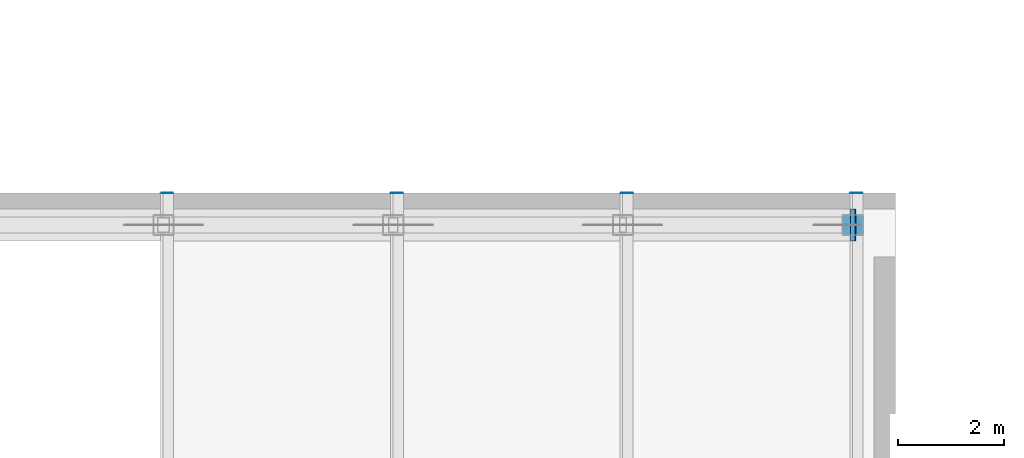
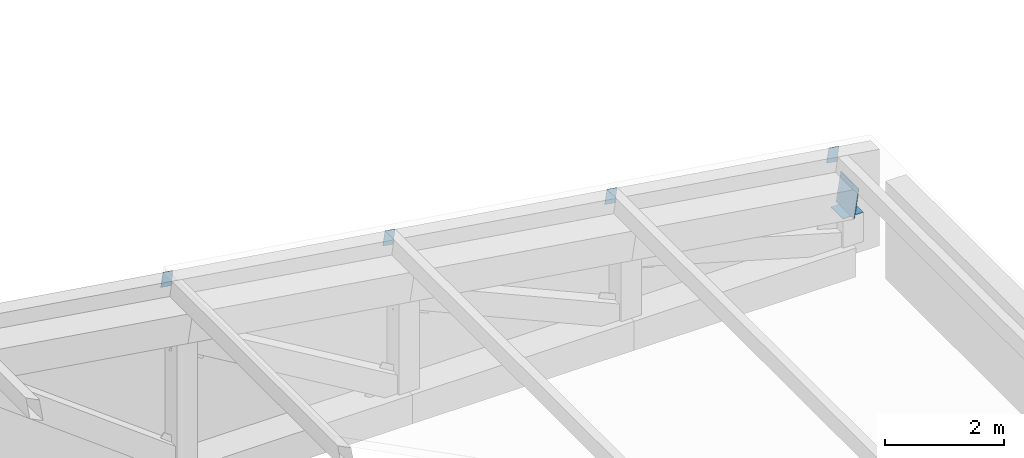
# One storey, part 30 of 32: 6 discrete accessories.
"""IFC4 building model written with IfcOpenShell, lengths in metres."""

import ifcopenshell
import ifcopenshell.guid

model = None  # the IFC model being written
_history = None  # IfcOwnerHistory: only IFC2X3 demands one
_inside = {}  # id of a spatial element -> (the spatial element, [elements in it])
_under = {}  # id of a project, library or spatial element -> (it, [spatial elements below it])
_declared = {}  # id of a project -> (the project, [libraries it declares])
_typed = {}  # id of a type object -> (the type object, [elements of that type])
_made_of = {}  # id of a material, layer set ... -> (it, [elements and type objects made of it])


def new_model(schema):
    """Start an empty IFC model of exactly this schema.

    Asked for "IFC4X3", IfcOpenShell would pick the latest addendum, in which some entities
    have other attributes; the version numbers below select the first issue.
    IFC2X3 requires an IfcOwnerHistory on every rooted entity: one is made here for all.
    """
    global model, _history
    if schema == "IFC4X3":
        model = ifcopenshell.file(schema_version=(4, 3, 0, 0))
    else:
        model = ifcopenshell.file(schema=schema)
    _inside.clear()
    _under.clear()
    _declared.clear()
    _typed.clear()
    _made_of.clear()
    _history = None
    if model.schema == "IFC2X3":
        org = make("IfcOrganization", Name="unknown")
        user = make(
            "IfcPersonAndOrganization",
            ThePerson=make("IfcPerson", FamilyName="unknown"),
            TheOrganization=org,
        )
        app = make(
            "IfcApplication",
            ApplicationDeveloper=org,
            Version="unknown",
            ApplicationFullName="unknown",
            ApplicationIdentifier="unknown",
        )
        _history = make(
            "IfcOwnerHistory",
            OwningUser=user,
            OwningApplication=app,
            ChangeAction="ADDED",
            CreationDate=0,
        )
    return model


def make(cls, **values):
    """One entity of the class cls with the attributes given. An attribute that is None is left unset."""
    return model.create_entity(
        cls, **{name: value for name, value in values.items() if value is not None}
    )


def rooted(cls, **values):
    """An entity with a GlobalId (a new one), such as an element, a storey or a relation."""
    return make(cls, GlobalId=ifcopenshell.guid.new(), OwnerHistory=_history, **values)


def si_unit(unit_type, name, prefix=None):
    """IfcSIUnit, for example si_unit("LENGTHUNIT", "METRE", prefix="MILLI")."""
    return make("IfcSIUnit", UnitType=unit_type, Prefix=prefix, Name=name)


def assignment(units):
    """IfcUnitAssignment: the units of a project."""
    return None if units is None else make("IfcUnitAssignment", Units=units)


def point(xyz):
    """IfcCartesianPoint."""
    return None if xyz is None else make("IfcCartesianPoint", Coordinates=xyz)


def direction(xyz):
    """IfcDirection."""
    return None if xyz is None else make("IfcDirection", DirectionRatios=xyz)


def frame(location, z_axis=None, x_axis=None):
    """IfcAxis2Placement3D, a coordinate frame: its origin and axes. An axis left out is left unset."""
    return make(
        "IfcAxis2Placement3D",
        Location=point(location),
        Axis=direction(z_axis),
        RefDirection=direction(x_axis),
    )


def origin():
    """The frame at (0, 0, 0) with its axes left unset."""
    return frame((0.0, 0.0, 0.0))


def place(relative_to, where):
    """IfcLocalPlacement: puts the frame where relative to a parent placement (None: the world)."""
    return make(
        "IfcLocalPlacement", PlacementRelTo=relative_to, RelativePlacement=where
    )


def context(
    kind, dimensions, precision=None, world=None, true_north=None, identifier=None
):
    """IfcGeometricRepresentationContext, for example the 3D "Model" context."""
    return make(
        "IfcGeometricRepresentationContext",
        ContextIdentifier=identifier,
        ContextType=kind,
        CoordinateSpaceDimension=dimensions,
        Precision=precision,
        WorldCoordinateSystem=world,
        TrueNorth=true_north,
    )


def subcontext(parent, identifier, kind, view, scale=None):
    """IfcGeometricRepresentationSubContext, for example "Body" below "Model"."""
    return make(
        "IfcGeometricRepresentationSubContext",
        ContextIdentifier=identifier,
        ContextType=kind,
        ParentContext=parent,
        TargetScale=scale,
        TargetView=view,
    )


def project(units=None, contexts=None):
    """IfcProject with its units and contexts."""
    return rooted(
        "IfcProject",
        Name="project",
        RepresentationContexts=contexts,
        UnitsInContext=assignment(units),
    )


def spatial(cls, under=None, at=None, **own):
    """A site, building, storey or space (cls), placed at a placement, below another one or the project."""
    s = rooted(cls, ObjectPlacement=at, **own)
    if under is not None:
        _under.setdefault(under.id(), (under, []))[1].append(s)
    return s


def polyline(points):
    """IfcPolyline through the points."""
    return make("IfcPolyline", Points=[point(p) for p in points])


def outline(outer, holes=None, kind="AREA"):
    """IfcArbitraryClosedProfileDef: a profile drawn as a closed curve; with holes, ...WithVoids."""
    if holes is None:
        return make("IfcArbitraryClosedProfileDef", ProfileType=kind, OuterCurve=outer)
    return make(
        "IfcArbitraryProfileDefWithVoids",
        ProfileType=kind,
        OuterCurve=outer,
        InnerCurves=holes,
    )


def extrude(swept, where, along, depth):
    """IfcExtrudedAreaSolid: the profile swept, set in the frame where, extruded along a direction by depth."""
    return make(
        "IfcExtrudedAreaSolid",
        SweptArea=swept,
        Position=where,
        ExtrudedDirection=direction(along),
        Depth=depth,
    )


def shape(context_of_items, identifier, shape_type, items):
    """IfcShapeRepresentation: the items that make up one representation, for example the "Body"."""
    return make(
        "IfcShapeRepresentation",
        ContextOfItems=context_of_items,
        RepresentationIdentifier=identifier,
        RepresentationType=shape_type,
        Items=items,
    )


def material(Name=None, Category=None):
    """IfcMaterial."""
    return make("IfcMaterial", Name=Name, Category=Category)


def layer(
    of_material, thickness, ventilated=None, Name=None, Category=None, Priority=None
):
    """IfcMaterialLayer: one layer of a wall or slab, of a material (None: an air gap)."""
    return make(
        "IfcMaterialLayer",
        Material=of_material,
        LayerThickness=thickness,
        IsVentilated=ventilated,
        Name=Name,
        Category=Category,
        Priority=Priority,
    )


def layer_set(layers, Name=None):
    """IfcMaterialLayerSet."""
    return make("IfcMaterialLayerSet", MaterialLayers=layers, LayerSetName=Name)


def made_of(thing, what):
    """Note that an element or type object is made of a material, layer set ...; save() writes the relation."""
    if what is not None:
        _made_of.setdefault(what.id(), (what, []))[1].append(thing)
    return thing


def type_object(cls, material=None, **own):
    """A type object (cls), such as IfcWallType, which elements share."""
    return made_of(rooted(cls, **own), material)


def element(
    cls,
    number,
    at=None,
    inside=None,
    cuts=None,
    type_object=None,
    material=None,
    context=None,
    identifier="Body",
    shape_type=None,
    held_by="IfcProductDefinitionShape",
    body=None,
    shapes=None,
    **own,
):
    """One element of the class cls, such as IfcWall. Its Tag is "e" and its number.

    at: its placement. inside: the storey or other place that contains it. cuts: it is an
    opening in that element (IfcRelVoidsElement). A single representation is given by context,
    identifier, shape_type and body (its items); several are given by shapes. held_by: the class
    of the entity that holds the representations. save() writes the other relations.
    """
    e = rooted(cls, Tag="e%d" % number, ObjectPlacement=at, **own)
    if body is not None:
        shapes = [shape(context, identifier, shape_type, body)]
    if shapes is not None:
        e.Representation = make(held_by, Representations=shapes)
    if inside is not None:
        _inside.setdefault(inside.id(), (inside, []))[1].append(e)
    if cuts is not None:
        rooted(
            "IfcRelVoidsElement", RelatingBuildingElement=cuts, RelatedOpeningElement=e
        )
    if type_object is not None:
        _typed.setdefault(type_object.id(), (type_object, []))[1].append(e)
    return made_of(e, material)


def aggregate(whole, parts):
    """IfcRelAggregates: a whole, such as a stair, and the parts it consists of."""
    return rooted("IfcRelAggregates", RelatingObject=whole, RelatedObjects=parts)


def save(model, path):
    """Write the relations noted so far, then the file.

    IfcRelAggregates (storeys below a building ...), IfcRelContainedInSpatialStructure (elements
    in a storey), IfcRelDefinesByType, IfcRelAssociatesMaterial and IfcRelDeclares: one each for
    every whole, place, type object, material and project.
    """
    for whole, parts in _under.values():
        aggregate(whole, parts)
    for where, things in _inside.values():
        rooted(
            "IfcRelContainedInSpatialStructure",
            RelatedElements=things,
            RelatingStructure=where,
        )
    for kind, things in _typed.values():
        rooted("IfcRelDefinesByType", RelatedObjects=things, RelatingType=kind)
    for what, things in _made_of.values():
        rooted("IfcRelAssociatesMaterial", RelatedObjects=things, RelatingMaterial=what)
    for by, libraries in _declared.values():
        rooted("IfcRelDeclares", RelatingContext=by, RelatedDefinitions=libraries)
    model.write(path)


model = new_model("IFC4")

# Units and contexts
model_context = context("Model", 3, precision=1e-05, world=origin(), true_north=direction((0.0, 1.0)))
body_context = subcontext(model_context, "Body", "Model", "MODEL_VIEW")
ifc_project = project(units=[si_unit("LENGTHUNIT", "METRE"), si_unit("AREAUNIT", "SQUARE_METRE"), si_unit("VOLUMEUNIT", "CUBIC_METRE"), si_unit("PLANEANGLEUNIT", "RADIAN"), si_unit("MASSUNIT", "GRAM", prefix="KILO")], contexts=[model_context])

# Site, building, storey
site_placement = place(None, origin())
site = spatial("IfcSite", under=ifc_project, at=site_placement, CompositionType="ELEMENT")
building_placement = place(site_placement, origin())
building = spatial("IfcBuilding", under=site, at=building_placement, Name="Aravalli Gate Trade Fair Centre", CompositionType="ELEMENT")
storey_placement = place(building_placement, frame((0.0, 0.0, 23.39990234375)))
storey = spatial("IfcBuildingStorey", under=building, at=storey_placement, Name="ROOF LEVEL 1", CompositionType="ELEMENT", Elevation=23.39990234375)

# Discrete accessories
ifc_material = material(Name="Steel E350", Category="steel")
ifc_layer_1 = layer(ifc_material, 0.010009765625)
ifc_layer_set_1 = layer_set([ifc_layer_1], Name="Steel E350")
discrete_accessory_type_1 = type_object("IfcDiscreteAccessoryType", Name="End plate 200x300 x 10", PredefinedType="USERDEFINED", material=ifc_layer_set_1)
discrete_accessory_1_placement = place(storey_placement, frame((137.18408203125, 109.610107421875, 3.761474609375), z_axis=(0.0, 1.0, 0.0), x_axis=(-0.988456294987, 0.0, 0.151506280072)))
element("IfcDiscreteAccessory", 1, at=discrete_accessory_1_placement, inside=storey, type_object=discrete_accessory_type_1, Name="End plate Roof purlin line 8 bay 5 end B", ObjectType="END CAP", PredefinedType="USERDEFINED", context=body_context, shape_type="SweptSolid", body=[
    extrude(outline(polyline([(0.0, 0.0), (0.19981638705398722, -3.469446951953614e-18), (0.2001131926484928, 0.30004957524953746), (5.5483256862352837e-05, 0.30008656408744566), (0.0, 0.0)])), origin(), (0.0, 0.0, -1.0), 0.010009765625),
])
discrete_accessory_2_placement = place(storey_placement, frame((141.504150390625, 109.610107421875, 3.1015625), z_axis=(0.0, 1.0, 0.0), x_axis=(-0.988666145559, 0.0, 0.150130785066)))
element("IfcDiscreteAccessory", 2, at=discrete_accessory_2_placement, inside=storey, type_object=discrete_accessory_type_1, Name="End plate Roof purlin line 9 bay 5 end B", ObjectType="END CAP", PredefinedType="USERDEFINED", context=body_context, shape_type="SweptSolid", body=[
    extrude(outline(polyline([(0.0, 0.0), (0.20002091417634477, -3.469446951953614e-18), (0.19965885382030493, 0.30008635080006396), (-0.00036206035603982695, 0.30008635080006396), (0.0, 0.0)])), origin(), (0.0, 0.0, -1.0), 0.010009765625),
])
discrete_accessory_3_placement = place(storey_placement, frame((145.82421875, 109.610107421875, 2.44140625), z_axis=(0.0, 1.0, 0.0), x_axis=(-0.988484290215, 0.0, 0.151323520971)))
element("IfcDiscreteAccessory", 3, at=discrete_accessory_3_placement, inside=storey, type_object=discrete_accessory_type_1, Name="End plate Roof purlin line 10 bay 5 end B", ObjectType="END CAP", PredefinedType="USERDEFINED", context=body_context, shape_type="SweptSolid", body=[
    extrude(outline(polyline([(0.0, 0.0), (0.2000577128110791, 0.0), (0.2000577128110791, 0.30008656921661864), (0.0002413291724156566, 0.30004962499763155), (0.0, 0.0)])), origin(), (0.0, 0.0, -1.0), 0.010009765625),
])
discrete_accessory_4_placement = place(storey_placement, frame((150.144287109375, 109.610107421875, 1.781494140625), z_axis=(0.0, 1.0, 0.0), x_axis=(-0.988484290215, 0.0, 0.151323520971)))
element("IfcDiscreteAccessory", 4, at=discrete_accessory_4_placement, inside=storey, type_object=discrete_accessory_type_1, Name="End plate Roof purlin line 11 bay 5 end B", ObjectType="END CAP", PredefinedType="USERDEFINED", context=body_context, shape_type="SweptSolid", body=[
    extrude(outline(polyline([(0.0, 0.0), (0.2000577128110791, 0.0), (0.20029904198349474, 0.30004962499763155), (0.0002413291724156566, 0.30004962499763155), (0.0, 0.0)])), origin(), (0.0, 0.0, -1.0), 0.010009765625),
])
ifc_layer_2 = layer(ifc_material, 0.011962890625)
ifc_layer_set_2 = layer_set([ifc_layer_2], Name="Steel E350")
discrete_accessory_type_2 = type_object("IfcDiscreteAccessoryType", Name="End plate 400x400 x 12", PredefinedType="USERDEFINED", material=ifc_layer_set_2)
discrete_accessory_5_placement = place(storey_placement, frame((149.800048828125, 108.800048828125, 1.20849609375), z_axis=(0.0, 0.0, 1.0), x_axis=(1.0, 0.0, 0.0)))
element("IfcDiscreteAccessory", 5, at=discrete_accessory_5_placement, inside=storey, type_object=discrete_accessory_type_2, Name="End plate Roof truss 109 post 10 end B", ObjectType="END CAP", PredefinedType="USERDEFINED", context=body_context, shape_type="SweptSolid", body=[
    extrude(outline(polyline([(0.0, 0.0), (0.39990234375, 0.0), (0.39990234375, 0.39990234375), (0.0, 0.39990234375), (0.0, 0.0)])), origin(), (0.0, 0.0, -1.0), 0.011962890625),
])
ifc_layer_3 = layer(ifc_material, 0.01611328125)
ifc_layer_set_3 = layer_set([ifc_layer_3], Name="Steel E350")
discrete_accessory_type_3 = type_object("IfcDiscreteAccessoryType", Name="End plate 600x600 x 16", PredefinedType="USERDEFINED", material=ifc_layer_set_3)
discrete_accessory_6_placement = place(storey_placement, frame((149.95458984375, 108.699951171875, 1.20361328125), z_axis=(-0.988474969732, 0.0, 0.151384392236), x_axis=(0.0, 1.0, 0.0)))
element("IfcDiscreteAccessory", 6, at=discrete_accessory_6_placement, inside=storey, type_object=discrete_accessory_type_3, Name="End plate Roof truss 109 top chord 10 end B", ObjectType="END CAP", PredefinedType="USERDEFINED", context=body_context, shape_type="SweptSolid", body=[
    extrude(outline(polyline([(0.0, 0.0), (0.60009765625, 0.0), (0.60009765625, -0.5999318103983469), (0.0, -0.5999318103983469), (0.0, 0.0)])), origin(), (0.0, 0.0, -1.0), 0.01611328125),
])

save(model, "model.ifc")
